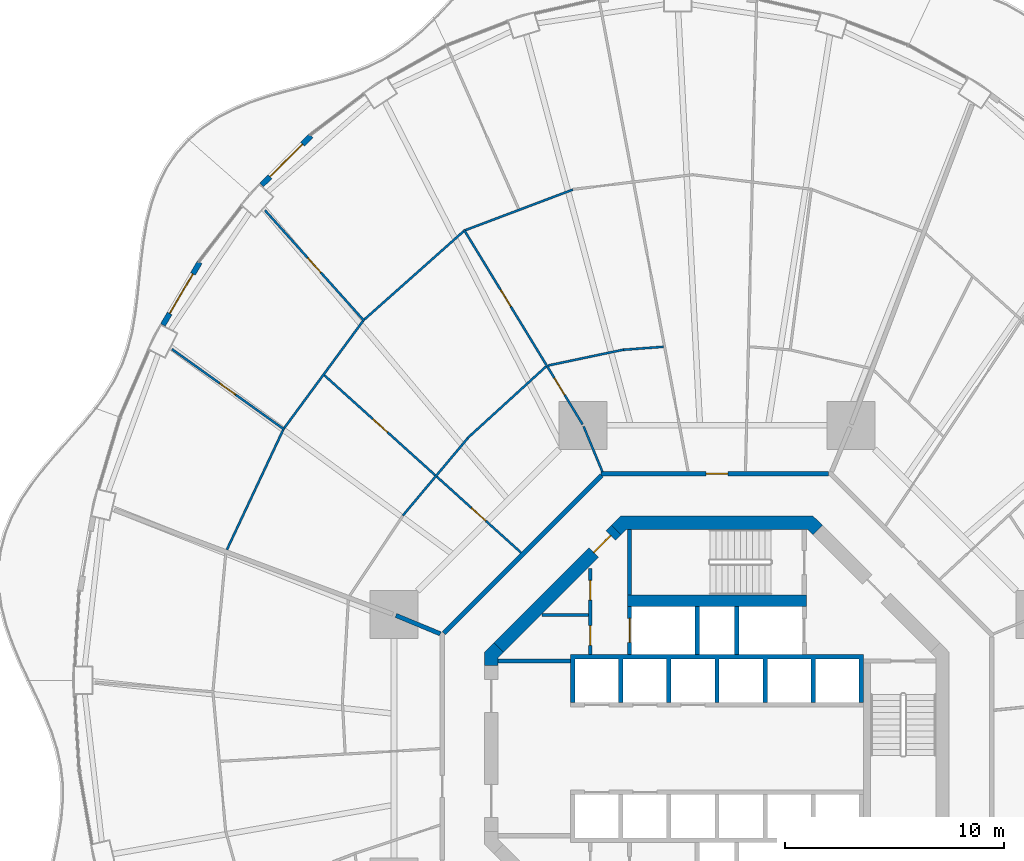
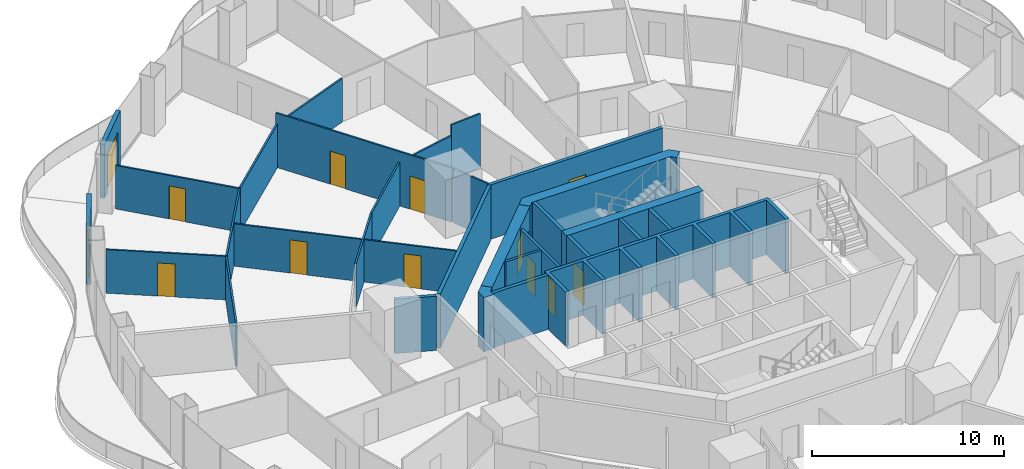
# One storey, part 17 of 22: 30 walls, 13 doors, 13 openings.
"""IFC4 building model written with IfcOpenShell, lengths in metres."""

from ifc_helpers import new_model, si_unit, direction, frame, frame_2d, origin, place, context, subcontext, project, spatial, polyline, rectangle, outline, extrude, material, layer, layer_set, type_object, element, fill, save


model = new_model("IFC4")

# Units and contexts
model_context = context("Model", 3, precision=1e-05, world=origin(), true_north=direction((0.0, 1.0)))
body_context = subcontext(model_context, "Body", "Model", "MODEL_VIEW")
ifc_project = project(units=[si_unit("LENGTHUNIT", "METRE"), si_unit("AREAUNIT", "SQUARE_METRE"), si_unit("VOLUMEUNIT", "CUBIC_METRE"), si_unit("PLANEANGLEUNIT", "RADIAN"), si_unit("MASSUNIT", "GRAM", prefix="KILO")], contexts=[model_context])

# Site, building, storey
site_placement = place(None, origin())
site = spatial("IfcSite", under=ifc_project, at=site_placement, CompositionType="ELEMENT")
building_placement = place(site_placement, origin())
building = spatial("IfcBuilding", under=site, at=building_placement, Name="Nagisa Residences", CompositionType="ELEMENT")
storey_placement = place(building_placement, frame((0.0, 0.0, 106.60009765625)))
storey = spatial("IfcBuildingStorey", under=building, at=storey_placement, Name="L26", CompositionType="ELEMENT", Elevation=106.60009765625)

# Wall
ifc_material_1 = material(Name="Gypsum board on steel studs", Category="steel")
ifc_layer_1 = layer(ifc_material_1, 0.199951171875)
ifc_layer_set_1 = layer_set([ifc_layer_1], Name="Apartment compartment wall EI60 200")
wall_type_1 = type_object("IfcWallType", Name="Apartment compartment wall EI60 200", PredefinedType="PARTITIONING", material=ifc_layer_set_1)
wall_1_placement = place(storey_placement, frame((-12.6572265625, 5.24267578125, 0.0), z_axis=(0.0, 0.0, 1.0), x_axis=(-0.923843626288, 0.382770106157, 0.0)))
element("IfcWall", 1, at=wall_1_placement, inside=storey, type_object=wall_type_1, Name="wall:L26:u02", PredefinedType="PARTITIONING", context=body_context, shape_type="SweptSolid", body=[
    extrude(rectangle(XDim=2.19921875, YDim=0.199951171875, at=frame_2d((1.099609375, 0.0))), origin(), (0.0, 0.0, 1.0), 3.43994140625),
])

# Wall, opening, door
ifc_material_2 = material(Name="Gypsum board on steel studs", Category="steel")
ifc_layer_2 = layer(ifc_material_2, 0.199951171875)
ifc_layer_set_2 = layer_set([ifc_layer_2], Name="Apartment entry wall EI60 200")
wall_type_2 = type_object("IfcWallType", Name="Apartment entry wall EI60 200", PredefinedType="PARTITIONING", material=ifc_layer_set_2)
wall_2_placement = place(storey_placement, frame((5.1044921875, 12.564697265625, 0.0), z_axis=(0.0, 0.0, 1.0), x_axis=(-1.0, 0.0, 0.0)))
wall_2 = element("IfcWall", 2, at=wall_2_placement, inside=storey, type_object=wall_type_2, Name="wall:L26:u10", PredefinedType="PARTITIONING", context=body_context, shape_type="SweptSolid", body=[
    extrude(rectangle(XDim=10.408935546875, YDim=0.199951171875, at=frame_2d((5.20458984375, 0.0))), origin(), (0.0, 0.0, 1.0), 3.43994140625),
])
opening_1_placement = place(wall_2_placement, frame((4.6044921875, 0.0, 0.0)))
opening_1 = element("IfcOpeningElement", 3, at=opening_1_placement, cuts=wall_2, Name="Opening L26-U25", PredefinedType="OPENING", context=body_context, shape_type="SweptSolid", body=[
    extrude(rectangle(XDim=1.0, YDim=2.10009765625, at=frame_2d((0.5, 1.050048828125))), frame((0.0, 0.10986328125, 0.0), z_axis=(0.0, -1.0, 0.0), x_axis=(1.0, 0.0, 0.0)), (0.0, 0.0, 1.0), 0.219970703125),
])
ifc_material_3 = material(Name="Timber fire door set", Category="wood")
door_type_1 = type_object("IfcDoorType", Name="Apartment entry door FD30S 1000x2100", OperationType="NOTDEFINED", PredefinedType="DOOR", material=ifc_material_3)
door_1_placement = place(opening_1_placement, frame((1.0, 0.0, 0.0), x_axis=(-1.0, 0.0, 0.0)))
door_1 = element("IfcDoor", 4, at=door_1_placement, inside=storey, type_object=door_type_1, Name="Entry door, Apartment 26C", OperationType="SINGLE_SWING_RIGHT", OverallHeight=2.10009765625, OverallWidth=1.0, PredefinedType="DOOR", context=body_context, shape_type="SweptSolid", body=[
    extrude(rectangle(XDim=1.0, YDim=2.10009765625, at=frame_2d((0.5, 1.050048828125))), frame((0.0, 0.02490234375, 0.0), z_axis=(0.0, -1.0, 0.0), x_axis=(1.0, 0.0, 0.0)), (0.0, 0.0, 1.0), 0.050048828125),
])
fill(opening_1, door_1)

# Walls
wall_3_placement = place(storey_placement, frame((-5.275146484375, 12.494140625, 0.0), z_axis=(0.0, 0.0, 1.0), x_axis=(-0.707106781187, -0.707106781187, 0.0)))
element("IfcWall", 5, at=wall_3_placement, inside=storey, type_object=wall_type_2, Name="wall:L26:u11", PredefinedType="PARTITIONING", context=body_context, shape_type="SweptSolid", body=[
    extrude(rectangle(XDim=10.209228515625, YDim=0.199951171875, at=frame_2d((5.1044921875, 0.0))), origin(), (0.0, 0.0, 1.0), 3.43994140625),
])
ifc_material_4 = material(Name="Gypsum board on steel studs", Category="steel")
ifc_layer_3 = layer(ifc_material_4, 0.10009765625)
ifc_layer_set_3 = layer_set([ifc_layer_3], Name="Apartment partition 100")
wall_type_3 = type_object("IfcWallType", Name="Apartment partition 100", PredefinedType="PARTITIONING", material=ifc_layer_set_3)
wall_4_placement = place(storey_placement, frame((-2.453369140625, 18.374267578125, 0.0), z_axis=(0.0, 0.0, 1.0), x_axis=(-0.997153681897, -0.075395853197, 0.0)))
element("IfcWall", 6, at=wall_4_placement, inside=storey, type_object=wall_type_3, Name="wall:L26:u39", PredefinedType="PARTITIONING", context=body_context, shape_type="SweptSolid", body=[
    extrude(rectangle(XDim=1.822998046875, YDim=0.10009765625, at=frame_2d((0.91162109375, 0.0))), origin(), (0.0, 0.0, 1.0), 3.43994140625),
])
wall_5_placement = place(storey_placement, frame((-4.27197265625, 18.243408203125, 0.0), z_axis=(0.0, 0.0, 1.0), x_axis=(-0.978622947907, -0.205662650547, 0.0)))
element("IfcWall", 7, at=wall_5_placement, inside=storey, type_object=wall_type_3, Name="wall:L26:u40", PredefinedType="PARTITIONING", context=body_context, shape_type="SweptSolid", body=[
    extrude(rectangle(XDim=3.53759765625, YDim=0.10009765625, at=frame_2d((1.768798828125, 0.0))), origin(), (0.0, 0.0, 1.0), 2.761962890625),
])
wall_6_placement = place(storey_placement, frame((-6.595703125, 25.5634765625, 0.0), z_axis=(0.0, 0.0, 1.0), x_axis=(-0.9356162121, -0.353018843201, 0.0)))
element("IfcWall", 8, at=wall_6_placement, inside=storey, type_object=wall_type_3, Name="wall:L26:u41", PredefinedType="PARTITIONING", context=body_context, shape_type="SweptSolid", body=[
    extrude(rectangle(XDim=5.2490234375, YDim=0.10009765625, at=frame_2d((2.62451171875, 0.0))), origin(), (0.0, 0.0, 1.0), 2.761962890625),
])
wall_7_placement = place(storey_placement, frame((-5.24267578125, 12.6572265625, 0.0), z_axis=(0.0, 0.0, 1.0), x_axis=(-0.382703272338, 0.923871314276, 0.0)))
element("IfcWall", 9, at=wall_7_placement, inside=storey, type_object=wall_type_3, Name="wall:L26:u43", PredefinedType="PARTITIONING", context=body_context, shape_type="SweptSolid", body=[
    extrude(rectangle(XDim=2.249267578125, YDim=0.10009765625, at=frame_2d((1.12451171875, 0.0))), origin(), (0.0, 0.0, 1.0), 3.43994140625),
])

# Wall, openings, doors
wall_8_placement = place(storey_placement, frame((-6.14892578125, 14.82470703125, 0.0), z_axis=(0.0, 0.0, 1.0), x_axis=(-0.520411490252, 0.853915616917, 0.0)))
wall_8 = element("IfcWall", 10, at=wall_8_placement, inside=storey, type_object=wall_type_3, Name="wall:L26:u44", PredefinedType="PARTITIONING", context=body_context, shape_type="SweptSolid", body=[
    extrude(rectangle(XDim=10.435302734375, YDim=0.10009765625, at=frame_2d((5.2177734375, 0.0))), origin(), (0.0, 0.0, 1.0), 3.43994140625),
])
opening_2_placement = place(wall_8_placement, frame((1.58154296875, 0.0, 0.0)))
opening_2 = element("IfcOpeningElement", 11, at=opening_2_placement, cuts=wall_8, Name="Opening L26-U28", PredefinedType="OPENING", context=body_context, shape_type="SweptSolid", body=[
    extrude(rectangle(XDim=0.89990234375, YDim=2.10009765625, at=frame_2d((0.449951171875, 1.050048828125))), frame((0.0, 0.06005859375, 0.0), z_axis=(0.0, -1.0, 0.0), x_axis=(1.0, 0.0, 0.0)), (0.0, 0.0, 1.0), 0.1201171875),
])
opening_3_placement = place(wall_8_placement, frame((6.3125, 0.0, 0.0)))
opening_3 = element("IfcOpeningElement", 12, at=opening_3_placement, cuts=wall_8, Name="Opening L26-U33", PredefinedType="OPENING", context=body_context, shape_type="SweptSolid", body=[
    extrude(rectangle(XDim=0.89990234375, YDim=2.10009765625, at=frame_2d((0.449951171875, 1.050048828125))), frame((0.0, 0.06005859375, 0.0), z_axis=(0.0, -1.0, 0.0), x_axis=(1.0, 0.0, 0.0)), (0.0, 0.0, 1.0), 0.1201171875),
])
ifc_material_5 = material(Name="Timber door set", Category="wood")
door_type_2 = type_object("IfcDoorType", Name="Apartment door 900x2100", OperationType="NOTDEFINED", PredefinedType="DOOR", material=ifc_material_5)
door_2_placement = place(opening_2_placement, origin())
door_2 = element("IfcDoor", 13, at=door_2_placement, inside=storey, type_object=door_type_2, Name="Door to store, Apartment 26C", OperationType="SINGLE_SWING_RIGHT", OverallHeight=2.10009765625, OverallWidth=0.89990234375, PredefinedType="DOOR", context=body_context, shape_type="SweptSolid", body=[
    extrude(rectangle(XDim=0.89990234375, YDim=2.10009765625, at=frame_2d((0.449951171875, 1.050048828125))), frame((0.0, 0.02490234375, 0.0), z_axis=(0.0, -1.0, 0.0), x_axis=(1.0, 0.0, 0.0)), (0.0, 0.0, 1.0), 0.050048828125),
])
fill(opening_2, door_2)
door_3_placement = place(opening_3_placement, origin())
door_3 = element("IfcDoor", 14, at=door_3_placement, inside=storey, type_object=door_type_2, Name="Door to family room, Apartment 26C", OperationType="SINGLE_SWING_LEFT", OverallHeight=2.10009765625, OverallWidth=0.89990234375, PredefinedType="DOOR", context=body_context, shape_type="SweptSolid", body=[
    extrude(rectangle(XDim=0.89990234375, YDim=2.10009765625, at=frame_2d((0.449951171875, 1.050048828125))), frame((0.0, 0.02490234375, 0.0), z_axis=(0.0, -1.0, 0.0), x_axis=(1.0, 0.0, 0.0)), (0.0, 0.0, 1.0), 0.050048828125),
])
fill(opening_3, door_3)

# Walls
wall_9_placement = place(storey_placement, frame((-7.81982421875, 17.471923828125, 0.0), z_axis=(0.0, 0.0, 1.0), x_axis=(-0.73885182489, -0.67386792538, 0.0)))
element("IfcWall", 15, at=wall_9_placement, inside=storey, type_object=wall_type_3, Name="wall:L26:u45", PredefinedType="PARTITIONING", context=body_context, shape_type="SweptSolid", body=[
    extrude(rectangle(XDim=4.846435546875, YDim=0.10009765625, at=frame_2d((2.42333984375, 0.0))), origin(), (0.0, 0.0, 1.0), 2.761962890625),
])
wall_10_placement = place(storey_placement, frame((-11.5908203125, 23.65966796875, 0.0), z_axis=(0.0, 0.0, 1.0), x_axis=(-0.747429278403, -0.664341383466, 0.0)))
element("IfcWall", 16, at=wall_10_placement, inside=storey, type_object=wall_type_3, Name="wall:L26:u46", PredefinedType="PARTITIONING", context=body_context, shape_type="SweptSolid", body=[
    extrude(rectangle(XDim=6.073486328125, YDim=0.10009765625, at=frame_2d((3.03662109375, 0.0))), origin(), (0.0, 0.0, 1.0), 2.761962890625),
])
wall_11_placement = place(storey_placement, frame((-11.39599609375, 14.20166015625, 0.0), z_axis=(0.0, 0.0, 1.0), x_axis=(-0.642475660273, -0.766306091557, 0.0)))
element("IfcWall", 17, at=wall_11_placement, inside=storey, type_object=wall_type_3, Name="wall:L26:u47", PredefinedType="PARTITIONING", context=body_context, shape_type="SweptSolid", body=[
    extrude(rectangle(XDim=4.63720703125, YDim=0.10009765625, at=frame_2d((2.318603515625, 0.0))), origin(), (0.0, 0.0, 1.0), 2.761962890625),
])

# Wall, opening, door
wall_12_placement = place(storey_placement, frame((-16.13427734375, 19.554443359375, 0.0), z_axis=(0.0, 0.0, 1.0), x_axis=(-0.667985610263, 0.74417418961, 0.0)))
wall_12 = element("IfcWall", 18, at=wall_12_placement, inside=storey, type_object=wall_type_3, Name="wall:L26:u48", PredefinedType="PARTITIONING", context=body_context, shape_type="SweptSolid", body=[
    extrude(rectangle(XDim=6.809326171875, YDim=0.10009765625, at=frame_2d((3.40478515625, 0.0))), origin(), (0.0, 0.0, 1.0), 2.761962890625),
])
opening_4_placement = place(wall_12_placement, frame((2.979736328125, 0.0, 0.0)))
opening_4 = element("IfcOpeningElement", 19, at=opening_4_placement, cuts=wall_12, Name="Opening L26-U39", PredefinedType="OPENING", context=body_context, shape_type="SweptSolid", body=[
    extrude(rectangle(XDim=0.89990234375, YDim=2.10009765625, at=frame_2d((0.449951171875, 1.050048828125))), frame((0.0, 0.06005859375, 0.0), z_axis=(0.0, -1.0, 0.0), x_axis=(1.0, 0.0, 0.0)), (0.0, 0.0, 1.0), 0.1201171875),
])
door_4_placement = place(opening_4_placement, origin())
door_4 = element("IfcDoor", 20, at=door_4_placement, inside=storey, type_object=door_type_2, Name="Door to dining room, Apartment 26C", OperationType="SINGLE_SWING_LEFT", OverallHeight=2.10009765625, OverallWidth=0.89990234375, PredefinedType="DOOR", context=body_context, shape_type="SweptSolid", body=[
    extrude(rectangle(XDim=0.89990234375, YDim=2.10009765625, at=frame_2d((0.449951171875, 1.050048828125))), frame((0.0, 0.02490234375, 0.0), z_axis=(0.0, -1.0, 0.0), x_axis=(1.0, 0.0, 0.0)), (0.0, 0.0, 1.0), 0.050048828125),
])
fill(opening_4, door_4)

# Wall
wall_13_placement = place(storey_placement, frame((-16.197265625, 19.55126953125, 0.0), z_axis=(0.0, 0.0, 1.0), x_axis=(-0.592391983588, -0.80564988536, 0.0)))
element("IfcWall", 21, at=wall_13_placement, inside=storey, type_object=wall_type_3, Name="wall:L26:u49", PredefinedType="PARTITIONING", context=body_context, shape_type="SweptSolid", body=[
    extrude(rectangle(XDim=6.080078125, YDim=0.10009765625, at=frame_2d((3.0400390625, 0.0))), origin(), (0.0, 0.0, 1.0), 2.761962890625),
])

# Wall, openings, doors
wall_14_placement = place(storey_placement, frame((-8.958984375, 8.95166015625, 0.0), z_axis=(0.0, 0.0, 1.0), x_axis=(-0.742679904999, 0.669646592398, 0.0)))
wall_14 = element("IfcWall", 22, at=wall_14_placement, inside=storey, type_object=wall_type_3, Name="wall:L26:u50", PredefinedType="PARTITIONING", context=body_context, shape_type="SweptSolid", body=[
    extrude(rectangle(XDim=12.121337890625, YDim=0.10009765625, at=frame_2d((6.060546875, 0.0))), origin(), (0.0, 0.0, 1.0), 2.68701171875),
])
opening_5_placement = place(wall_14_placement, frame((2.172119140625, 0.0, 0.0)))
opening_5 = element("IfcOpeningElement", 23, at=opening_5_placement, cuts=wall_14, Name="Opening L26-U29", PredefinedType="OPENING", context=body_context, shape_type="SweptSolid", body=[
    extrude(rectangle(XDim=0.89990234375, YDim=2.10009765625, at=frame_2d((0.449951171875, 1.050048828125))), frame((0.0, 0.06005859375, 0.0), z_axis=(0.0, -1.0, 0.0), x_axis=(1.0, 0.0, 0.0)), (0.0, 0.0, 1.0), 0.1201171875),
])
opening_6_placement = place(wall_14_placement, frame((8.232666015625, 0.0, 0.0)))
opening_6 = element("IfcOpeningElement", 24, at=opening_6_placement, cuts=wall_14, Name="Opening L26-U34", PredefinedType="OPENING", context=body_context, shape_type="SweptSolid", body=[
    extrude(rectangle(XDim=0.89990234375, YDim=2.10009765625, at=frame_2d((0.449951171875, 1.050048828125))), frame((0.0, 0.06005859375, 0.0), z_axis=(0.0, -1.0, 0.0), x_axis=(1.0, 0.0, 0.0)), (0.0, 0.0, 1.0), 0.1201171875),
])
door_5_placement = place(opening_5_placement, origin())
door_5 = element("IfcDoor", 25, at=door_5_placement, inside=storey, type_object=door_type_2, Name="Door to laundry, Apartment 26C", OperationType="SINGLE_SWING_LEFT", OverallHeight=2.10009765625, OverallWidth=0.89990234375, PredefinedType="DOOR", context=body_context, shape_type="SweptSolid", body=[
    extrude(rectangle(XDim=0.89990234375, YDim=2.10009765625, at=frame_2d((0.449951171875, 1.050048828125))), frame((0.0, 0.02490234375, 0.0), z_axis=(0.0, -1.0, 0.0), x_axis=(1.0, 0.0, 0.0)), (0.0, 0.0, 1.0), 0.050048828125),
])
fill(opening_5, door_5)
door_6_placement = place(opening_6_placement, origin())
door_6 = element("IfcDoor", 26, at=door_6_placement, inside=storey, type_object=door_type_2, Name="Door to dining room, Apartment 26C", OperationType="SINGLE_SWING_RIGHT", OverallHeight=2.10009765625, OverallWidth=0.89990234375, PredefinedType="DOOR", context=body_context, shape_type="SweptSolid", body=[
    extrude(rectangle(XDim=0.89990234375, YDim=2.10009765625, at=frame_2d((0.449951171875, 1.050048828125))), frame((0.0, 0.02490234375, 0.0), z_axis=(0.0, -1.0, 0.0), x_axis=(1.0, 0.0, 0.0)), (0.0, 0.0, 1.0), 0.050048828125),
])
fill(opening_6, door_6)

# Wall, opening, door
wall_15_placement = place(storey_placement, frame((-19.7880859375, 14.58349609375, 0.0), z_axis=(0.0, 0.0, 1.0), x_axis=(-0.813175286569, 0.58201885993, 0.0)))
wall_15 = element("IfcWall", 27, at=wall_15_placement, inside=storey, type_object=wall_type_3, Name="wall:L26:u52", PredefinedType="PARTITIONING", context=body_context, shape_type="SweptSolid", body=[
    extrude(rectangle(XDim=6.32861328125, YDim=0.10009765625, at=frame_2d((3.164306640625, 0.0))), origin(), (0.0, 0.0, 1.0), 2.761962890625),
])
opening_7_placement = place(wall_15_placement, frame((2.7392578125, 0.0, 0.0)))
opening_7 = element("IfcOpeningElement", 28, at=opening_7_placement, cuts=wall_15, Name="Opening L26-U40", PredefinedType="OPENING", context=body_context, shape_type="SweptSolid", body=[
    extrude(rectangle(XDim=0.89990234375, YDim=2.10009765625, at=frame_2d((0.449951171875, 1.050048828125))), frame((0.0, 0.06005859375, 0.0), z_axis=(0.0, -1.0, 0.0), x_axis=(1.0, 0.0, 0.0)), (0.0, 0.0, 1.0), 0.1201171875),
])
door_7_placement = place(opening_7_placement, origin())
door_7 = element("IfcDoor", 29, at=door_7_placement, inside=storey, type_object=door_type_2, Name="Door to master bedroom, Apartment 26C", OperationType="SINGLE_SWING_RIGHT", OverallHeight=2.10009765625, OverallWidth=0.89990234375, PredefinedType="DOOR", context=body_context, shape_type="SweptSolid", body=[
    extrude(rectangle(XDim=0.89990234375, YDim=2.10009765625, at=frame_2d((0.449951171875, 1.050048828125))), frame((0.0, 0.02490234375, 0.0), z_axis=(0.0, -1.0, 0.0), x_axis=(1.0, 0.0, 0.0)), (0.0, 0.0, 1.0), 0.050048828125),
])
fill(opening_7, door_7)

# Wall
wall_16_placement = place(storey_placement, frame((-19.85009765625, 14.5673828125, 0.0), z_axis=(0.0, 0.0, 1.0), x_axis=(-0.424942210745, -0.905220480064, 0.0)))
element("IfcWall", 30, at=wall_16_placement, inside=storey, type_object=wall_type_3, Name="wall:L26:u53", PredefinedType="PARTITIONING", context=body_context, shape_type="SweptSolid", body=[
    extrude(rectangle(XDim=6.05322265625, YDim=0.10009765625, at=frame_2d((3.026611328125, 0.0))), origin(), (0.0, 0.0, 1.0), 2.761962890625),
])

# Wall, opening, door
ifc_material_6 = material(Name="Precast concrete C40/50", Category="concrete")
ifc_layer_4 = layer(ifc_material_6, 0.25)
ifc_layer_set_4 = layer_set([ifc_layer_4], Name="BALCONY DOOR WALL 250")
wall_type_4 = type_object("IfcWallType", Name="BALCONY DOOR WALL 250", PredefinedType="SOLIDWALL", material=ifc_layer_set_4)
wall_17_placement = place(storey_placement, frame((-20.8349609375, 25.772705078125, 0.0), z_axis=(0.0, 0.0, 1.0), x_axis=(0.707831646613, 0.706381171927, 0.0)))
wall_17 = element("IfcWall", 31, at=wall_17_placement, inside=storey, type_object=wall_type_4, Name="wall:L26:bay17", PredefinedType="SOLIDWALL", context=body_context, shape_type="SweptSolid", body=[
    extrude(rectangle(XDim=3.197998046875, YDim=0.25, at=frame_2d((1.59912109375, 0.0))), origin(), (0.0, 0.0, 1.0), 3.43994140625),
])
opening_8_placement = place(wall_17_placement, frame((0.548828125, 0.0, 0.0)))
opening_8 = element("IfcOpeningElement", 32, at=opening_8_placement, cuts=wall_17, Name="Opening BD-L26-06", PredefinedType="OPENING", context=body_context, shape_type="SweptSolid", body=[
    extrude(rectangle(XDim=2.10009765625, YDim=2.39990234375, at=frame_2d((1.050048828125, 1.199951171875))), frame((0.0, 0.135009765625, 0.0), z_axis=(0.0, -1.0, 0.0), x_axis=(1.0, 0.0, 0.0)), (0.0, 0.0, 1.0), 0.27001953125),
])
ifc_material_7 = material(Name="Aluminium and clear glass", Category="aluminium")
door_type_3 = type_object("IfcDoorType", Name="BALCONY SLIDING DOOR 2100x2400", OperationType="SLIDING_TO_LEFT", PredefinedType="DOOR", material=ifc_material_7)
door_8_placement = place(opening_8_placement, origin())
door_8 = element("IfcDoor", 33, at=door_8_placement, inside=storey, type_object=door_type_3, Name="door:L26:bay17", OperationType="SLIDING_TO_LEFT", OverallHeight=2.39990234375, OverallWidth=2.10009765625, PredefinedType="DOOR", context=body_context, shape_type="SweptSolid", body=[
    extrude(rectangle(XDim=2.10009765625, YDim=2.39990234375, at=frame_2d((1.050048828125, 1.199951171875))), frame((0.0, 0.02490234375, 0.0), z_axis=(0.0, -1.0, 0.0), x_axis=(1.0, 0.0, 0.0)), (0.0, 0.0, 1.0), 0.050048828125),
])
fill(opening_8, door_8)

wall_18_placement = place(storey_placement, frame((-25.34765625, 19.372314453125, 0.0), z_axis=(0.0, 0.0, 1.0), x_axis=(0.506352525095, 0.86232657406, 0.0)))
wall_18 = element("IfcWall", 34, at=wall_18_placement, inside=storey, type_object=wall_type_4, Name="wall:L26:bay19", PredefinedType="SOLIDWALL", context=body_context, shape_type="SweptSolid", body=[
    extrude(rectangle(XDim=3.324951171875, YDim=0.25, at=frame_2d((1.66259765625, 0.0))), origin(), (0.0, 0.0, 1.0), 3.43994140625),
])
opening_9_placement = place(wall_18_placement, frame((0.6123046875, 0.0, 0.0)))
opening_9 = element("IfcOpeningElement", 35, at=opening_9_placement, cuts=wall_18, Name="Opening BD-L26-07", PredefinedType="OPENING", context=body_context, shape_type="SweptSolid", body=[
    extrude(rectangle(XDim=2.10009765625, YDim=2.39990234375, at=frame_2d((1.050048828125, 1.199951171875))), frame((0.0, 0.135009765625, 0.0), z_axis=(0.0, -1.0, 0.0), x_axis=(1.0, 0.0, 0.0)), (0.0, 0.0, 1.0), 0.27001953125),
])
door_9_placement = place(opening_9_placement, origin())
door_9 = element("IfcDoor", 36, at=door_9_placement, inside=storey, type_object=door_type_3, Name="door:L26:bay19", OperationType="SLIDING_TO_LEFT", OverallHeight=2.39990234375, OverallWidth=2.10009765625, PredefinedType="DOOR", context=body_context, shape_type="SweptSolid", body=[
    extrude(rectangle(XDim=2.10009765625, YDim=2.39990234375, at=frame_2d((1.050048828125, 1.199951171875))), frame((0.0, 0.02490234375, 0.0), z_axis=(0.0, -1.0, 0.0), x_axis=(1.0, 0.0, 0.0)), (0.0, 0.0, 1.0), 0.050048828125),
])
fill(opening_9, door_9)

# Wall, openings, doors
ifc_material_8 = material(Name="Gypsum board on steel studs", Category="steel")
ifc_layer_5 = layer(ifc_material_8, 0.14990234375)
ifc_layer_set_5 = layer_set([ifc_layer_5], Name="Core partition 150")
wall_type_5 = type_object("IfcWallType", Name="Core partition 150", PredefinedType="PARTITIONING", material=ifc_layer_set_5)
wall_19_placement = place(storey_placement, frame((-5.800048828125, 4.300048828125, 0.0), z_axis=(0.0, 0.0, 1.0), x_axis=(0.0, 1.0, 0.0)))
wall_19 = element("IfcWall", 37, at=wall_19_placement, inside=storey, type_object=wall_type_5, Name="wall:L26:NWp", PredefinedType="PARTITIONING", context=body_context, shape_type="SweptSolid", body=[
    extrude(rectangle(XDim=3.927001953125, YDim=0.14990234375, at=frame_2d((1.96337890625, 0.0))), origin(), (0.0, 0.0, 1.0), 3.43994140625),
])
opening_10_placement = place(wall_19_placement, frame((0.41259765625, 0.0, 0.0)))
opening_10 = element("IfcOpeningElement", 38, at=opening_10_placement, cuts=wall_19, Name="Opening L26-C12", PredefinedType="OPENING", context=body_context, shape_type="SweptSolid", body=[
    extrude(rectangle(XDim=0.89990234375, YDim=2.10009765625, at=frame_2d((0.449951171875, 1.050048828125))), frame((0.0, 0.0849609375, 0.0), z_axis=(0.0, -1.0, 0.0), x_axis=(1.0, 0.0, 0.0)), (0.0, 0.0, 1.0), 0.169921875),
])
opening_11_placement = place(wall_19_placement, frame((2.488525390625, 0.0, 0.0)))
opening_11 = element("IfcOpeningElement", 39, at=opening_11_placement, cuts=wall_19, Name="Opening L26-C13", PredefinedType="OPENING", context=body_context, shape_type="SweptSolid", body=[
    extrude(rectangle(XDim=0.89990234375, YDim=2.10009765625, at=frame_2d((0.449951171875, 1.050048828125))), frame((0.0, 0.0849609375, 0.0), z_axis=(0.0, -1.0, 0.0), x_axis=(1.0, 0.0, 0.0)), (0.0, 0.0, 1.0), 0.169921875),
])
ifc_material_9 = material(Name="Steel fire door", Category="steel")
door_type_4 = type_object("IfcDoorType", Name="Fire door EI30 900x2100 single swing", OperationType="NOTDEFINED", PredefinedType="DOOR", material=ifc_material_9)
door_10_placement = place(opening_10_placement, origin())
door_10 = element("IfcDoor", 40, at=door_10_placement, inside=storey, type_object=door_type_4, Name="Package room door L26", OperationType="SINGLE_SWING_RIGHT", OverallHeight=2.10009765625, OverallWidth=0.89990234375, PredefinedType="DOOR", context=body_context, shape_type="SweptSolid", body=[
    extrude(rectangle(XDim=0.89990234375, YDim=2.10009765625, at=frame_2d((0.449951171875, 1.050048828125))), frame((0.0, 0.02490234375, 0.0), z_axis=(0.0, -1.0, 0.0), x_axis=(1.0, 0.0, 0.0)), (0.0, 0.0, 1.0), 0.050048828125),
])
fill(opening_10, door_10)
door_11_placement = place(opening_11_placement, origin())
door_11 = element("IfcDoor", 41, at=door_11_placement, inside=storey, type_object=door_type_4, Name="Valet store door L26", OperationType="SINGLE_SWING_RIGHT", OverallHeight=2.10009765625, OverallWidth=0.89990234375, PredefinedType="DOOR", context=body_context, shape_type="SweptSolid", body=[
    extrude(rectangle(XDim=0.89990234375, YDim=2.10009765625, at=frame_2d((0.449951171875, 1.050048828125))), frame((0.0, 0.02490234375, 0.0), z_axis=(0.0, -1.0, 0.0), x_axis=(1.0, 0.0, 0.0)), (0.0, 0.0, 1.0), 0.050048828125),
])
fill(opening_11, door_11)

# Walls
wall_20_placement = place(storey_placement, frame((-8.0009765625, 6.10009765625, 0.0), z_axis=(0.0, 0.0, 1.0), x_axis=(1.0, 0.0, 0.0)))
element("IfcWall", 42, at=wall_20_placement, inside=storey, type_object=wall_type_5, Name="wall:L26:NWq", PredefinedType="PARTITIONING", context=body_context, shape_type="SweptSolid", body=[
    extrude(rectangle(XDim=2.1259765625, YDim=0.14990234375, at=frame_2d((1.06298828125, 0.0))), origin(), (0.0, 0.0, 1.0), 3.43994140625),
])
ifc_material_10 = material(Name="Gypsum board on steel studs", Category="steel")
ifc_layer_6 = layer(ifc_material_10, 0.199951171875)
ifc_layer_set_6 = layer_set([ifc_layer_6], Name="Core partition 200")
wall_type_6 = type_object("IfcWallType", Name="Core partition 200", PredefinedType="PARTITIONING", material=ifc_layer_set_6)
wall_21_placement = place(storey_placement, frame((-10.024658203125, 4.0, 0.0), z_axis=(0.0, 0.0, 1.0), x_axis=(1.0, 0.0, 0.0)))
element("IfcWall", 43, at=wall_21_placement, inside=storey, type_object=wall_type_6, Name="wall:L26:PNW", PredefinedType="PARTITIONING", context=body_context, shape_type="SweptSolid", body=[
    extrude(rectangle(XDim=3.32470703125, YDim=0.199951171875, at=frame_2d((1.662353515625, 0.0))), origin(), (0.0, 0.0, 1.0), 3.43994140625),
])

# Wall, opening, door
ifc_material_11 = material(Name="Concrete C60", Category="concrete")
ifc_layer_7 = layer(ifc_material_11, 0.60009765625)
ifc_layer_set_7 = layer_set([ifc_layer_7], Name="Core shear wall 600")
wall_type_7 = type_object("IfcWallType", Name="Core shear wall 600", PredefinedType="SHEAR", material=ifc_layer_set_7)
wall_22_placement = place(storey_placement, frame((-4.613037109375, 9.98828125, 0.0), z_axis=(0.0, 0.0, 1.0), x_axis=(-0.707106781187, -0.707106781187, 0.0)))
wall_22 = element("IfcWall", 44, at=wall_22_placement, inside=storey, type_object=wall_type_7, Name="wall:L26:core:flat3", PredefinedType="SHEAR", context=body_context, shape_type="SweptSolid", body=[
    extrude(rectangle(XDim=7.601806640625, YDim=0.60009765625, at=frame_2d((3.80078125, 0.0))), origin(), (0.0, 0.0, 1.0), 3.43994140625),
])
opening_12_placement = place(wall_22_placement, frame((0.350830078125, 0.0, 0.0)))
opening_12 = element("IfcOpeningElement", 45, at=opening_12_placement, cuts=wall_22, Name="Opening L26-C21", PredefinedType="OPENING", context=body_context, shape_type="SweptSolid", body=[
    extrude(rectangle(XDim=1.10009765625, YDim=2.10009765625, at=frame_2d((0.550048828125, 1.050048828125))), frame((0.0, 0.31005859375, 0.0), z_axis=(0.0, -1.0, 0.0), x_axis=(1.0, 0.0, 0.0)), (0.0, 0.0, 1.0), 0.6201171875),
])
ifc_material_12 = material(Name="Steel fire door", Category="steel")
door_type_5 = type_object("IfcDoorType", Name="Fire door EI60 1100x2100 single swing", OperationType="NOTDEFINED", PredefinedType="DOOR", material=ifc_material_12)
door_12_placement = place(opening_12_placement, origin())
door_12 = element("IfcDoor", 46, at=door_12_placement, inside=storey, type_object=door_type_5, Name="Service lobby door L26", OperationType="SINGLE_SWING_RIGHT", OverallHeight=2.10009765625, OverallWidth=1.10009765625, PredefinedType="DOOR", context=body_context, shape_type="SweptSolid", body=[
    extrude(rectangle(XDim=1.10009765625, YDim=2.10009765625, at=frame_2d((0.550048828125, 1.050048828125))), frame((0.0, 0.02490234375, 0.0), z_axis=(0.0, -1.0, 0.0), x_axis=(1.0, 0.0, 0.0)), (0.0, 0.0, 1.0), 0.050048828125),
])
fill(opening_12, door_12)

# Walls
wall_23_placement = place(storey_placement, origin())
element("IfcWall", 47, at=wall_23_placement, inside=storey, type_object=wall_type_7, Name="wall:L26:core:pier3", PredefinedType="SHEAR", context=body_context, shape_type="SweptSolid", body=[
    extrude(outline(polyline([(-10.200439453125, 4.8251953125), (-9.776123046875, 4.40087890625), (-10.024658203125, 4.15234375), (-10.024658203125, 3.80078125), (-10.62451171875, 3.80078125), (-10.62451171875, 4.40087890625), (-10.200439453125, 4.8251953125)])), origin(), (0.0, 0.0, 1.0), 3.43994140625),
])
wall_24_placement = place(storey_placement, origin())
element("IfcWall", 48, at=wall_24_placement, inside=storey, type_object=wall_type_7, Name="wall:L26:core:flat2", PredefinedType="SHEAR", context=body_context, shape_type="SweptSolid", body=[
    extrude(outline(polyline([(-4.15234375, 10.024658203125), (-4.40087890625, 9.776123046875), (-4.8251953125, 10.200439453125), (-4.40087890625, 10.62451171875), (4.40087890625, 10.62451171875), (4.8251953125, 10.200439453125), (4.40087890625, 9.776123046875), (4.15234375, 10.024658203125), (-4.15234375, 10.024658203125)])), origin(), (0.0, 0.0, 1.0), 3.43994140625),
])

# Wall, opening, door
ifc_material_13 = material(Name="Concrete C60", Category="concrete")
ifc_layer_8 = layer(ifc_material_13, 0.199951171875)
ifc_layer_set_8 = layer_set([ifc_layer_8], Name="Lift shaft wall 200")
wall_type_8 = type_object("IfcWallType", Name="Lift shaft wall 200", PredefinedType="SOLIDWALL", material=ifc_layer_set_8)
wall_25_placement = place(storey_placement, frame((-4.0, 4.300048828125, 0.0), z_axis=(0.0, 0.0, 1.0), x_axis=(0.0, 1.0, 0.0)))
wall_25 = element("IfcWall", 49, at=wall_25_placement, inside=storey, type_object=wall_type_8, Name="wall:L26:Nb4", PredefinedType="SOLIDWALL", context=body_context, shape_type="SweptSolid", body=[
    extrude(rectangle(XDim=2.199951171875, YDim=0.199951171875, at=frame_2d((1.10009765625, 0.0))), origin(), (0.0, 0.0, 1.0), 3.43994140625),
])
opening_13_placement = place(wall_25_placement, frame((0.550048828125, 0.0, 0.0)))
opening_13 = element("IfcOpeningElement", 50, at=opening_13_placement, cuts=wall_25, Name="Opening L26-C08", PredefinedType="OPENING", context=body_context, shape_type="SweptSolid", body=[
    extrude(rectangle(XDim=1.10009765625, YDim=2.10009765625, at=frame_2d((0.550048828125, 1.050048828125))), frame((0.0, 0.10986328125, 0.0), z_axis=(0.0, -1.0, 0.0), x_axis=(1.0, 0.0, 0.0)), (0.0, 0.0, 1.0), 0.219970703125),
])
ifc_material_14 = material(Name="Stainless steel", Category="steel")
door_type_6 = type_object("IfcDoorType", Name="Lift landing door 1100x2100", OperationType="DOUBLE_DOOR_SLIDING", PredefinedType="DOOR", material=ifc_material_14)
door_13_placement = place(opening_13_placement, origin())
door_13 = element("IfcDoor", 51, at=door_13_placement, inside=storey, type_object=door_type_6, Name="Landing door SV L26", OperationType="DOUBLE_DOOR_SLIDING", OverallHeight=2.10009765625, OverallWidth=1.10009765625, PredefinedType="DOOR", context=body_context, shape_type="SweptSolid", body=[
    extrude(rectangle(XDim=1.10009765625, YDim=2.10009765625, at=frame_2d((0.550048828125, 1.050048828125))), frame((0.0, 0.02490234375, 0.0), z_axis=(0.0, -1.0, 0.0), x_axis=(1.0, 0.0, 0.0)), (0.0, 0.0, 1.0), 0.050048828125),
])
fill(opening_13, door_13)

# Walls
for number, where, z_axis, x_axis, name in (
    (52, (-0.89990234375, 4.300048828125, 0.0), (0.0, 0.0, 1.0), (0.0, 1.0, 0.0), "wall:L26:Nb1"),
    (53, (0.89990234375, 4.300048828125, 0.0), (0.0, 0.0, 1.0), (0.0, 1.0, 0.0), "wall:L26:Nb2"),
):
    element("IfcWall", number, at=place(storey_placement, frame(where, z_axis=z_axis, x_axis=x_axis)), inside=storey, type_object=wall_type_8, Name=name, PredefinedType="SOLIDWALL", context=body_context, shape_type="SweptSolid", body=[
        extrude(rectangle(XDim=2.199951171875, YDim=0.199951171875, at=frame_2d((1.10009765625, 0.0))), origin(), (0.0, 0.0, 1.0), 3.43994140625),
    ])
wall_26_placement = place(storey_placement, origin())
element("IfcWall", 54, at=wall_26_placement, inside=storey, type_object=wall_type_8, Name="wall:L26:Nback", PredefinedType="SOLIDWALL", context=body_context, shape_type="SweptSolid", body=[
    extrude(outline(polyline([(-6.5, 2.10009765625), (-6.699951171875, 2.10009765625), (-6.699951171875, 4.300048828125), (6.699951171875, 4.300048828125), (6.699951171875, 2.10009765625), (6.5, 2.10009765625), (6.5, 4.10009765625), (4.5, 4.10009765625), (4.5, 2.10009765625), (4.300048828125, 2.10009765625), (4.300048828125, 4.10009765625), (2.300048828125, 4.10009765625), (2.300048828125, 2.10009765625), (2.10009765625, 2.10009765625), (2.10009765625, 4.10009765625), (0.10009765625, 4.10009765625), (0.10009765625, 2.10009765625), (-0.10009765625, 2.10009765625), (-0.10009765625, 4.10009765625), (-2.10009765625, 4.10009765625), (-2.10009765625, 2.10009765625), (-2.300048828125, 2.10009765625), (-2.300048828125, 4.10009765625), (-4.300048828125, 4.10009765625), (-4.300048828125, 2.10009765625), (-4.5, 2.10009765625), (-4.5, 4.10009765625), (-6.5, 4.10009765625), (-6.5, 2.10009765625)])), origin(), (0.0, 0.0, 1.0), 3.43994140625),
])
ifc_material_15 = material(Name="Concrete C60", Category="concrete")
ifc_layer_9 = layer(ifc_material_15, 0.199951171875)
ifc_layer_set_9 = layer_set([ifc_layer_9], Name="Stair enclosure wall 200")
wall_type_9 = type_object("IfcWallType", Name="Stair enclosure wall 200", PredefinedType="SOLIDWALL", material=ifc_layer_set_9)
wall_27_placement = place(storey_placement, origin())
element("IfcWall", 55, at=wall_27_placement, inside=storey, type_object=wall_type_9, Name="wall:L26:SN_w", PredefinedType="SOLIDWALL", context=body_context, shape_type="SweptSolid", body=[
    extrude(outline(polyline([(-3.89990234375, 7.024658203125), (-4.10009765625, 7.024658203125), (-4.10009765625, 10.024658203125), (-3.89990234375, 10.024658203125), (-3.89990234375, 7.024658203125)])), origin(), (0.0, 0.0, 1.0), 3.43994140625),
])
wall_28_placement = place(storey_placement, origin())
element("IfcWall", 56, at=wall_28_placement, inside=storey, type_object=wall_type_9, Name="wall:L26:SN_s", PredefinedType="SOLIDWALL", context=body_context, shape_type="SweptSolid", body=[
    extrude(outline(polyline([(4.10009765625, 6.5), (-4.10009765625, 6.5), (-4.10009765625, 7.024658203125), (4.10009765625, 7.024658203125), (4.10009765625, 6.5)])), origin(), (0.0, 0.0, 1.0), 3.43994140625),
])

save(model, "model.ifc")
